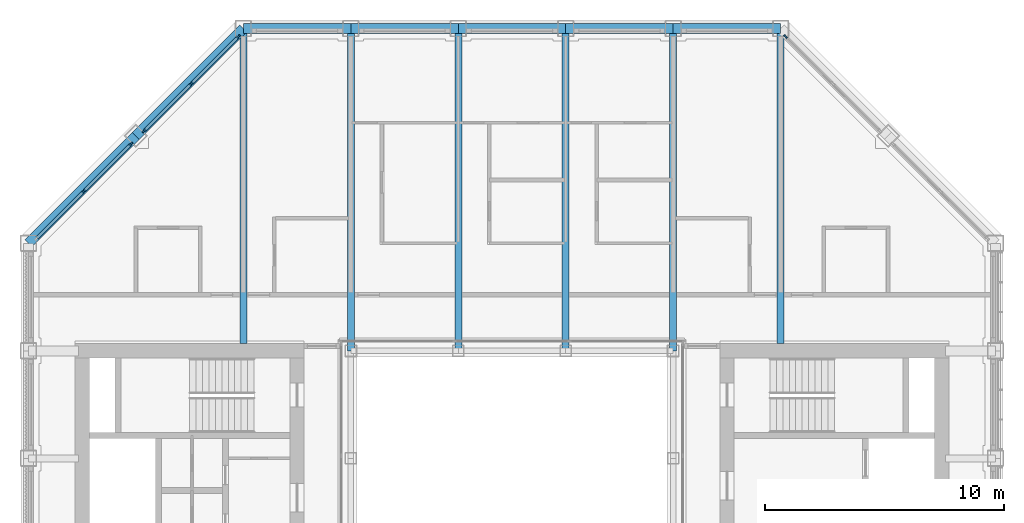
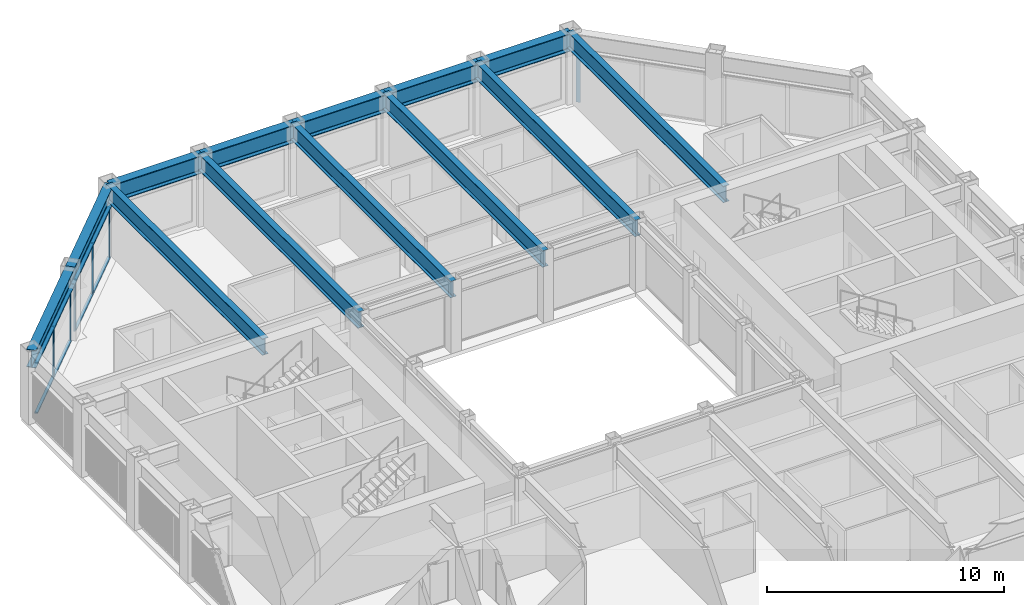
# One storey, part 6 of 17: 14 members, 13 beams, 3 elements without a shape of their own.
"""IFC4 building model written with IfcOpenShell, lengths in metres."""

from ifc_helpers import new_model, si_unit, direction, frame, origin, origin_2d, place, context, subcontext, project, spatial, rectangle, i_section, extrude, material, material_profile, profile_set, type_object, element, aggregate, save


model = new_model("IFC4")

# Units and contexts
model_context = context("Model", 3, precision=1e-05, world=origin(), true_north=direction((0.0, 1.0)))
body_context = subcontext(model_context, "Body", "Model", "MODEL_VIEW")
ifc_project = project(units=[si_unit("LENGTHUNIT", "METRE"), si_unit("AREAUNIT", "SQUARE_METRE"), si_unit("VOLUMEUNIT", "CUBIC_METRE"), si_unit("PLANEANGLEUNIT", "RADIAN"), si_unit("MASSUNIT", "GRAM", prefix="KILO")], contexts=[model_context])

# Site, building, storey
site_placement = place(None, origin())
site = spatial("IfcSite", under=ifc_project, at=site_placement, CompositionType="ELEMENT")
building_placement = place(site_placement, origin())
building = spatial("IfcBuilding", under=site, at=building_placement, Name="Msasa Ring Tower", CompositionType="ELEMENT")
storey_placement = place(building_placement, frame((0.0, 0.0, 234.550048828125)))
storey = spatial("IfcBuildingStorey", under=building, at=storey_placement, Name="L61", CompositionType="ELEMENT", Elevation=234.550048828125)

# Curtain wall, member
ifc_material_1 = material(Name="Aluminium curtain wall with clear glass", Category="aluminium")
curtain_wall_type = type_object("IfcCurtainWallType", Name="CW-C CHAMFER CORNER CURTAIN WALL", PredefinedType="NOTDEFINED", material=ifc_material_1)
curtain_wall_1_placement = place(storey_placement, origin())
curtain_wall_1 = element("IfcCurtainWall", 1, at=curtain_wall_1_placement, inside=storey, type_object=curtain_wall_type, Name="Chamfer corner curtain wall NE L61", PredefinedType="NOTDEFINED")
ifc_material_2 = material(Name="Aluminium mullion", Category="aluminium")
ifc_material_profile_1 = material_profile(ifc_material_2, rectangle(XDim=0.06494140625, YDim=0.179931640625, at=origin_2d()), Name="AL 65x180")
ifc_profile_set_1 = profile_set([ifc_material_profile_1], Name="Aluminium mullion")
member_type_1 = type_object("IfcMemberType", Name="CW-C MULLION 65x180", PredefinedType="MULLION", material=ifc_profile_set_1)
member_1_placement = place(storey_placement, frame((11.453369140625, 19.9052734375, 0.0), z_axis=(0.0, 0.0, 1.0), x_axis=(-0.707106781187, -0.707106781187, 0.0)))
member_1 = element("IfcMember", 2, at=member_1_placement, type_object=member_type_1, Name="CW-C mullion 3", PredefinedType="MULLION", context=body_context, shape_type="SweptSolid", body=[
    extrude(rectangle(XDim=0.06494140625, YDim=0.179931640625, at=origin_2d()), origin(), (0.0, 0.0, 1.0), 2.62890625),
])
aggregate(curtain_wall_1, [member_1])

# Curtain wall, members
curtain_wall_2_placement = place(storey_placement, origin())
curtain_wall_2 = element("IfcCurtainWall", 3, at=curtain_wall_2_placement, inside=storey, type_object=curtain_wall_type, Name="Chamfer corner curtain wall NW L61", PredefinedType="NOTDEFINED")
member_2_placement = place(storey_placement, frame((-15.953369140625, 15.4052734375, 0.0), z_axis=(0.0, 0.0, 1.0), x_axis=(0.707106781187, -0.707106781187, 0.0)))
member_2 = element("IfcMember", 4, at=member_2_placement, type_object=member_type_1, Name="CW-C mullion 1", PredefinedType="MULLION", context=body_context, shape_type="SweptSolid", body=[
    extrude(rectangle(XDim=0.06494140625, YDim=0.179931640625, at=origin_2d()), origin(), (0.0, 0.0, 1.0), 2.62890625),
])
member_3_placement = place(storey_placement, frame((-17.92919921875, 13.42919921875, 0.0), z_axis=(0.0, 0.0, 1.0), x_axis=(0.707106781187, -0.707106781187, 0.0)))
member_3 = element("IfcMember", 5, at=member_3_placement, type_object=member_type_1, Name="CW-C mullion 2", PredefinedType="MULLION", context=body_context, shape_type="SweptSolid", body=[
    extrude(rectangle(XDim=0.06494140625, YDim=0.179931640625, at=origin_2d()), origin(), (0.0, 0.0, 1.0), 2.62890625),
])

curtain_wall_3_placement = place(storey_placement, origin())
curtain_wall_3 = element("IfcCurtainWall", 6, at=curtain_wall_3_placement, inside=storey, type_object=curtain_wall_type, Name="Chamfer corner curtain wall NW L61", PredefinedType="NOTDEFINED")
member_4_placement = place(storey_placement, frame((-11.453369140625, 19.9052734375, 0.0), z_axis=(0.0, 0.0, 1.0), x_axis=(0.707106781187, -0.707106781187, 0.0)))
member_4 = element("IfcMember", 7, at=member_4_placement, type_object=member_type_1, Name="CW-C mullion 1", PredefinedType="MULLION", context=body_context, shape_type="SweptSolid", body=[
    extrude(rectangle(XDim=0.06494140625, YDim=0.179931640625, at=origin_2d()), origin(), (0.0, 0.0, 1.0), 2.62890625),
])
member_5_placement = place(storey_placement, frame((-13.42919921875, 17.92919921875, 0.0), z_axis=(0.0, 0.0, 1.0), x_axis=(0.707106781187, -0.707106781187, 0.0)))
member_5 = element("IfcMember", 8, at=member_5_placement, type_object=member_type_1, Name="CW-C mullion 2", PredefinedType="MULLION", context=body_context, shape_type="SweptSolid", body=[
    extrude(rectangle(XDim=0.06494140625, YDim=0.179931640625, at=origin_2d()), origin(), (0.0, 0.0, 1.0), 2.62890625),
])
member_6_placement = place(storey_placement, frame((-15.4052734375, 15.953369140625, 0.0), z_axis=(0.0, 0.0, 1.0), x_axis=(0.707106781187, -0.707106781187, 0.0)))
member_6 = element("IfcMember", 9, at=member_6_placement, type_object=member_type_1, Name="CW-C mullion 3", PredefinedType="MULLION", context=body_context, shape_type="SweptSolid", body=[
    extrude(rectangle(XDim=0.06494140625, YDim=0.179931640625, at=origin_2d()), origin(), (0.0, 0.0, 1.0), 2.62890625),
])

# Member
ifc_material_3 = material(Name="Aluminium transom", Category="aluminium")
ifc_material_profile_2 = material_profile(ifc_material_3, rectangle(XDim=0.139892578125, YDim=0.06494140625, at=origin_2d()), Name="AL 65x140")
ifc_profile_set_2 = profile_set([ifc_material_profile_2], Name="Aluminium transom")
member_type_2 = type_object("IfcMemberType", Name="CW-C TRANSOM 65x140", PredefinedType="USERDEFINED", material=ifc_profile_set_2)
member_7_placement = place(storey_placement, frame((-15.976318359375, 15.38232421875, 0.032470703125), z_axis=(-0.707106781187, -0.707106781187, 0.0), x_axis=(0.707106781187, -0.707106781187, 0.0)))
member_7 = element("IfcMember", 10, at=member_7_placement, type_object=member_type_2, Name="CW-C transom 1.1", ObjectType="TRANSOM", PredefinedType="USERDEFINED", context=body_context, shape_type="SweptSolid", body=[
    extrude(rectangle(XDim=0.139892578125, YDim=0.06494140625, at=origin_2d()), origin(), (0.0, 0.0, 1.0), 2.729248046875),
])

member_8_placement = place(storey_placement, frame((-15.976318359375, 15.38232421875, 2.596435546875), z_axis=(-0.707106781187, -0.707106781187, 0.0), x_axis=(0.707106781187, -0.707106781187, 0.0)))
member_8 = element("IfcMember", 11, at=member_8_placement, type_object=member_type_2, Name="CW-C transom 1.2", ObjectType="TRANSOM", PredefinedType="USERDEFINED", context=body_context, shape_type="SweptSolid", body=[
    extrude(rectangle(XDim=0.139892578125, YDim=0.06494140625, at=origin_2d()), origin(), (0.0, 0.0, 1.0), 2.729248046875),
])

member_9_placement = place(storey_placement, frame((-17.952392578125, 13.40625, 0.032470703125), z_axis=(-0.707106781187, -0.707106781187, 0.0), x_axis=(0.707106781187, -0.707106781187, 0.0)))
member_9 = element("IfcMember", 12, at=member_9_placement, type_object=member_type_2, Name="CW-C transom 2.1", ObjectType="TRANSOM", PredefinedType="USERDEFINED", context=body_context, shape_type="SweptSolid", body=[
    extrude(rectangle(XDim=0.139892578125, YDim=0.06494140625, at=origin_2d()), origin(), (0.0, 0.0, 1.0), 2.729248046875),
])

member_10_placement = place(storey_placement, frame((-17.952392578125, 13.40625, 2.596435546875), z_axis=(-0.707106781187, -0.707106781187, 0.0), x_axis=(0.707106781187, -0.707106781187, 0.0)))
member_10 = element("IfcMember", 13, at=member_10_placement, type_object=member_type_2, Name="CW-C transom 2.2", ObjectType="TRANSOM", PredefinedType="USERDEFINED", context=body_context, shape_type="SweptSolid", body=[
    extrude(rectangle(XDim=0.139892578125, YDim=0.06494140625, at=origin_2d()), origin(), (0.0, 0.0, 1.0), 2.729248046875),
])

aggregate(curtain_wall_2, [member_2, member_3, member_7, member_8, member_9, member_10])

member_11_placement = place(storey_placement, frame((-11.476318359375, 19.88232421875, 0.032470703125), z_axis=(-0.707106781187, -0.707106781187, 0.0), x_axis=(0.707106781187, -0.707106781187, 0.0)))
member_11 = element("IfcMember", 14, at=member_11_placement, type_object=member_type_2, Name="CW-C transom 1.1", ObjectType="TRANSOM", PredefinedType="USERDEFINED", context=body_context, shape_type="SweptSolid", body=[
    extrude(rectangle(XDim=0.139892578125, YDim=0.06494140625, at=origin_2d()), origin(), (0.0, 0.0, 1.0), 2.729248046875),
])

member_12_placement = place(storey_placement, frame((-11.476318359375, 19.88232421875, 2.596435546875), z_axis=(-0.707106781187, -0.707106781187, 0.0), x_axis=(0.707106781187, -0.707106781187, 0.0)))
member_12 = element("IfcMember", 15, at=member_12_placement, type_object=member_type_2, Name="CW-C transom 1.2", ObjectType="TRANSOM", PredefinedType="USERDEFINED", context=body_context, shape_type="SweptSolid", body=[
    extrude(rectangle(XDim=0.139892578125, YDim=0.06494140625, at=origin_2d()), origin(), (0.0, 0.0, 1.0), 2.729248046875),
])

member_13_placement = place(storey_placement, frame((-13.452392578125, 17.90625, 0.032470703125), z_axis=(-0.707106781187, -0.707106781187, 0.0), x_axis=(0.707106781187, -0.707106781187, 0.0)))
member_13 = element("IfcMember", 16, at=member_13_placement, type_object=member_type_2, Name="CW-C transom 2.1", ObjectType="TRANSOM", PredefinedType="USERDEFINED", context=body_context, shape_type="SweptSolid", body=[
    extrude(rectangle(XDim=0.139892578125, YDim=0.06494140625, at=origin_2d()), origin(), (0.0, 0.0, 1.0), 2.729248046875),
])

member_14_placement = place(storey_placement, frame((-13.452392578125, 17.90625, 2.596435546875), z_axis=(-0.707106781187, -0.707106781187, 0.0), x_axis=(0.707106781187, -0.707106781187, 0.0)))
member_14 = element("IfcMember", 17, at=member_14_placement, type_object=member_type_2, Name="CW-C transom 2.2", ObjectType="TRANSOM", PredefinedType="USERDEFINED", context=body_context, shape_type="SweptSolid", body=[
    extrude(rectangle(XDim=0.139892578125, YDim=0.06494140625, at=origin_2d()), origin(), (0.0, 0.0, 1.0), 2.729248046875),
])

aggregate(curtain_wall_3, [member_4, member_5, member_6, member_11, member_12, member_13, member_14])

# Beams
ifc_material_4 = material(Name="Steel S355", Category="steel")
ifc_material_profile_3 = material_profile(ifc_material_4, i_section(OverallWidth=0.293701171875, OverallDepth=0.850830078125, WebThickness=0.01611328125, FlangeThickness=0.02685546875, FilletRadius=0.017822265625, at=origin_2d()), Name="UB 838x292x226")
ifc_profile_set_3 = profile_set([ifc_material_profile_3], Name="Steel S355")
beam_type_1 = type_object("IfcBeamType", Name="FB5 UB 838x292x226", PredefinedType="BEAM", material=ifc_profile_set_3)
beam_1_placement = place(storey_placement, frame((-11.25, 20.25, 3.12451171875), z_axis=(0.0, -1.0, 0.0), x_axis=(1.0, 0.0, 0.0)))
element("IfcBeam", 18, at=beam_1_placement, inside=storey, type_object=beam_type_1, Name="Floor beam N-11.25 under L62", PredefinedType="BEAM", context=body_context, shape_type="SweptSolid", body=[
    extrude(i_section(OverallWidth=0.293701171875, OverallDepth=0.850830078125, WebThickness=0.01611328125, FlangeThickness=0.02685546875, FilletRadius=0.017822265625, at=origin_2d()), origin(), (0.0, 0.0, 1.0), 13.199951171875),
])
for number, where, z_axis, x_axis, name in (
    (19, (-6.75, 20.25, 3.12451171875), (0.0, -1.0, 0.0), (1.0, 0.0, 0.0), "Floor beam N-6.75 under L62"),
    (20, (-2.25, 20.25, 3.12451171875), (0.0, -1.0, 0.0), (1.0, 0.0, 0.0), "Floor beam N-2.25 under L62"),
    (21, (2.25, 20.25, 3.12451171875), (0.0, -1.0, 0.0), (1.0, 0.0, 0.0), "Floor beam N+2.25 under L62"),
    (22, (6.75, 20.25, 3.12451171875), (0.0, -1.0, 0.0), (1.0, 0.0, 0.0), "Floor beam N+6.75 under L62"),
):
    element("IfcBeam", number, at=place(storey_placement, frame(where, z_axis=z_axis, x_axis=x_axis)), inside=storey, type_object=beam_type_1, Name=name, PredefinedType="BEAM", context=body_context, shape_type="SweptSolid", body=[
        extrude(i_section(OverallWidth=0.293701171875, OverallDepth=0.850830078125, WebThickness=0.01611328125, FlangeThickness=0.02685546875, FilletRadius=0.017822265625, at=origin_2d()), origin(), (0.0, 0.0, 1.0), 13.5),
    ])
beam_2_placement = place(storey_placement, frame((11.25, 20.25, 3.12451171875), z_axis=(0.0, -1.0, 0.0), x_axis=(1.0, 0.0, 0.0)))
element("IfcBeam", 23, at=beam_2_placement, inside=storey, type_object=beam_type_1, Name="Floor beam N+11.25 under L62", PredefinedType="BEAM", context=body_context, shape_type="SweptSolid", body=[
    extrude(i_section(OverallWidth=0.293701171875, OverallDepth=0.850830078125, WebThickness=0.01611328125, FlangeThickness=0.02685546875, FilletRadius=0.017822265625, at=origin_2d()), origin(), (0.0, 0.0, 1.0), 13.199951171875),
])
ifc_material_5 = material(Name="Steel S355", Category="steel")
ifc_material_profile_4 = material_profile(ifc_material_5, i_section(OverallWidth=0.42041015625, OverallDepth=0.9208984375, WebThickness=0.021484375, FlangeThickness=0.03662109375, FilletRadius=0.024169921875, at=origin_2d()), Name="UB 914x419x388")
ifc_profile_set_4 = profile_set([ifc_material_profile_4], Name="Steel S355")
beam_type_2 = type_object("IfcBeamType", Name="SB1 UB 914x419x388", PredefinedType="SPANDREL", material=ifc_profile_set_4)
for number, where, z_axis, x_axis, name in (
    (24, (11.25, 20.25, 3.08935546875), (-1.0, 0.0, 0.0), (0.0, -1.0, 0.0), "Spandrel N+11.25 to N+6.75 under L62"),
    (25, (6.75, 20.25, 3.08935546875), (-1.0, 0.0, 0.0), (0.0, -1.0, 0.0), "Spandrel N+6.75 to N+2.25 under L62"),
    (26, (2.25, 20.25, 3.08935546875), (-1.0, 0.0, 0.0), (0.0, -1.0, 0.0), "Spandrel N+2.25 to N-2.25 under L62"),
    (27, (-2.25, 20.25, 3.08935546875), (-1.0, 0.0, 0.0), (0.0, -1.0, 0.0), "Spandrel N-2.25 to N-6.75 under L62"),
    (28, (-6.75, 20.25, 3.08935546875), (-1.0, 0.0, 0.0), (0.0, -1.0, 0.0), "Spandrel N-6.75 to N-11.25 under L62"),
):
    element("IfcBeam", number, at=place(storey_placement, frame(where, z_axis=z_axis, x_axis=x_axis)), inside=storey, type_object=beam_type_2, Name=name, PredefinedType="SPANDREL", context=body_context, shape_type="SweptSolid", body=[
        extrude(i_section(OverallWidth=0.42041015625, OverallDepth=0.9208984375, WebThickness=0.021484375, FlangeThickness=0.03662109375, FilletRadius=0.024169921875, at=origin_2d()), origin(), (0.0, 0.0, 1.0), 4.5),
    ])
for number, where, z_axis, x_axis, name in (
    (29, (-11.25, 20.25, 3.08935546875), (-0.707106781187, -0.707106781187, 0.0), (0.707106781187, -0.707106781187, 0.0), "Spandrel N-11.25 to NW under L62"),
    (30, (-15.75, 15.75, 3.08935546875), (-0.707106781187, -0.707106781187, 0.0), (0.707106781187, -0.707106781187, 0.0), "Spandrel NW to W+11.25 under L62"),
):
    element("IfcBeam", number, at=place(storey_placement, frame(where, z_axis=z_axis, x_axis=x_axis)), inside=storey, type_object=beam_type_2, Name=name, PredefinedType="SPANDREL", context=body_context, shape_type="SweptSolid", body=[
        extrude(i_section(OverallWidth=0.42041015625, OverallDepth=0.9208984375, WebThickness=0.021484375, FlangeThickness=0.03662109375, FilletRadius=0.024169921875, at=origin_2d()), origin(), (0.0, 0.0, 1.0), 6.364013671875),
    ])

save(model, "model.ifc")
